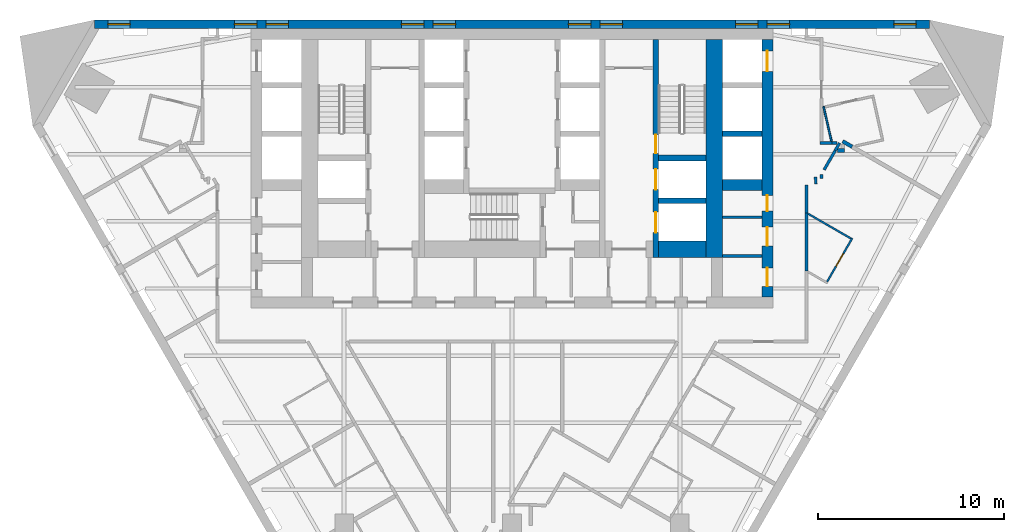
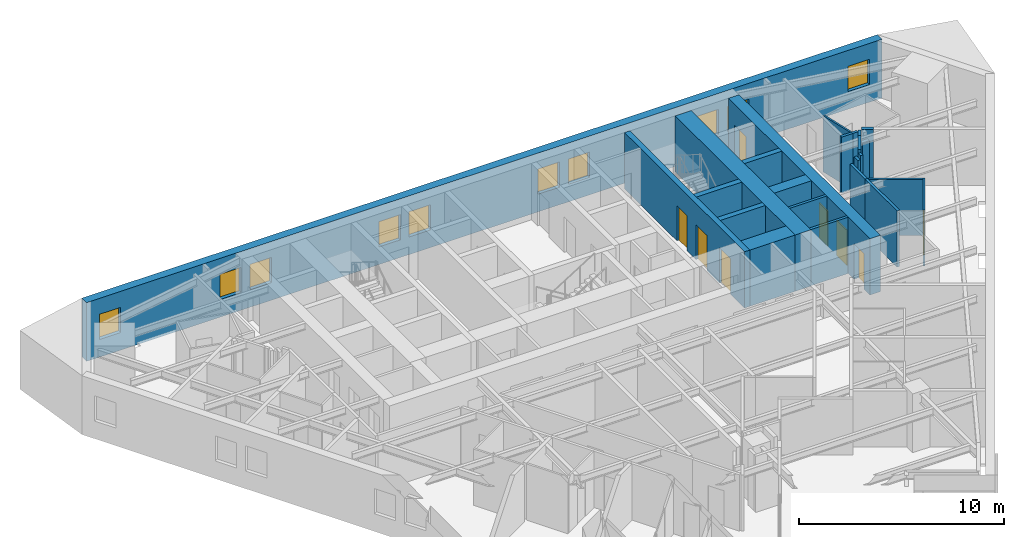
# One storey, part 8 of 11: 24 walls, 10 windows, 8 doors, 18 openings.
"""IFC4 building model written with IfcOpenShell, lengths in metres."""

from ifc_helpers import new_model, si_unit, direction, frame, frame_2d, origin, place, context, subcontext, project, spatial, polyline, rectangle, outline, extrude, material, layer, layer_set, type_object, element, fill, save


model = new_model("IFC4")

# Units and contexts
model_context = context("Model", 3, precision=1e-05, world=origin(), true_north=direction((0.0, 1.0)))
body_context = subcontext(model_context, "Body", "Model", "MODEL_VIEW")
ifc_project = project(units=[si_unit("LENGTHUNIT", "METRE"), si_unit("AREAUNIT", "SQUARE_METRE"), si_unit("VOLUMEUNIT", "CUBIC_METRE"), si_unit("PLANEANGLEUNIT", "RADIAN"), si_unit("MASSUNIT", "GRAM", prefix="KILO")], contexts=[model_context])

# Site, building, storey
site_placement = place(None, origin())
site = spatial("IfcSite", under=ifc_project, at=site_placement, CompositionType="ELEMENT")
building_placement = place(site_placement, origin())
building = spatial("IfcBuilding", under=site, at=building_placement, Name="Aloe Facet Convention Tower", CompositionType="ELEMENT")
storey_placement = place(building_placement, frame((0.0, 0.0, 66.5)))
storey = spatial("IfcBuildingStorey", under=building, at=storey_placement, Name="L15", CompositionType="ELEMENT", Elevation=66.5)

# Walls
ifc_material_1 = material(Name="Concrete blockwork partition", Category="masonry")
ifc_layer_1 = layer(ifc_material_1, 0.14990234375)
ifc_layer_set_1 = layer_set([ifc_layer_1], Name="CR-W-PART150")
wall_type_1 = type_object("IfcWallType", Name="CR-W-PART150", PredefinedType="PARTITIONING", material=ifc_layer_set_1)
for number, where, z_axis, x_axis, name in (
    (1, (91.300048828125, 124.425048828125, 0.0), (0.0, 0.0, 1.0), (1.0, 0.0, 0.0), "Core partition L15-052"),
    (2, (91.300048828125, 122.346435546875, 0.0), (0.0, 0.0, 1.0), (1.0, 0.0, 0.0), "Core partition L15-053"),
):
    element("IfcWall", number, at=place(storey_placement, frame(where, z_axis=z_axis, x_axis=x_axis)), inside=storey, type_object=wall_type_1, Name=name, PredefinedType="PARTITIONING", context=body_context, shape_type="SweptSolid", body=[
        extrude(rectangle(XDim=2.099853515625, YDim=0.14990234375, at=frame_2d((1.0498046875, 0.0))), origin(), (0.0, 0.0, 1.0), 3.35009765625),
    ])

# Wall, openings, doors
ifc_material_2 = material(Name="Concrete C80/95", Category="concrete")
ifc_layer_2 = layer(ifc_material_2, 0.300048828125)
ifc_layer_set_2 = layer_set([ifc_layer_2], Name="CR-W-RC300-C8095")
wall_type_2 = type_object("IfcWallType", Name="CR-W-RC300-C8095", PredefinedType="SOLIDWALL", material=ifc_layer_set_2)
wall_1_placement = place(storey_placement, frame((87.699951171875, 133.949951171875, 0.0), z_axis=(0.0, 0.0, 1.0), x_axis=(0.0, -1.0, 0.0)))
wall_1 = element("IfcWall", 3, at=wall_1_placement, inside=storey, type_object=wall_type_2, Name="Core wall L15-042", PredefinedType="SOLIDWALL", context=body_context, shape_type="SweptSolid", body=[
    extrude(rectangle(XDim=11.699951171875, YDim=0.300048828125, at=frame_2d((5.85009765625, 0.0))), origin(), (0.0, 0.0, 1.0), 3.35009765625),
])
opening_1_placement = place(wall_1_placement, frame((6.949951171875, 0.0, 0.0)))
opening_1 = element("IfcOpeningElement", 4, at=opening_1_placement, cuts=wall_1, Name="Opening LD-FF2-L15", PredefinedType="OPENING", context=body_context, shape_type="SweptSolid", body=[
    extrude(rectangle(XDim=1.10009765625, YDim=2.10009765625, at=frame_2d((0.550048828125, 1.050048828125))), frame((0.0, 0.16015625, 0.0), z_axis=(0.0, -1.0, 0.0), x_axis=(1.0, 0.0, 0.0)), (0.0, 0.0, 1.0), 0.320068359375),
])
opening_2_placement = place(wall_1_placement, frame((5.10009765625, 0.0, 0.0)))
opening_2 = element("IfcOpeningElement", 5, at=opening_2_placement, cuts=wall_1, Name="Opening L15-CD31", PredefinedType="OPENING", context=body_context, shape_type="SweptSolid", body=[
    extrude(rectangle(XDim=1.0, YDim=2.10009765625, at=frame_2d((0.5, 1.050048828125))), frame((0.0, 0.16015625, 0.0), z_axis=(0.0, -1.0, 0.0), x_axis=(1.0, 0.0, 0.0)), (0.0, 0.0, 1.0), 0.320068359375),
])
opening_3_placement = place(wall_1_placement, frame((9.25, 0.0, 0.0)))
opening_3 = element("IfcOpeningElement", 6, at=opening_3_placement, cuts=wall_1, Name="Opening LD-SV1-L15", PredefinedType="OPENING", context=body_context, shape_type="SweptSolid", body=[
    extrude(rectangle(XDim=1.10009765625, YDim=2.10009765625, at=frame_2d((0.550048828125, 1.050048828125))), frame((0.0, 0.16015625, 0.0), z_axis=(0.0, -1.0, 0.0), x_axis=(1.0, 0.0, 0.0)), (0.0, 0.0, 1.0), 0.320068359375),
])
ifc_material_3 = material(Name="Steel fire-resisting door set FD120", Category="steel")
door_type_1 = type_object("IfcDoorType", Name="CR-D-STAIR-1000-FD120-SLEFT", OperationType="SINGLE_SWING_LEFT", PredefinedType="DOOR", material=ifc_material_3)
door_1_placement = place(opening_2_placement, origin())
door_1 = element("IfcDoor", 7, at=door_1_placement, inside=storey, type_object=door_type_1, Name="Core door L15-CD31", OperationType="SINGLE_SWING_LEFT", OverallHeight=2.10009765625, OverallWidth=1.0, PredefinedType="DOOR", context=body_context, shape_type="SweptSolid", body=[
    extrude(rectangle(XDim=1.0, YDim=2.10009765625, at=frame_2d((0.5, 1.050048828125))), frame((0.0, 0.02490234375, 0.0), z_axis=(0.0, -1.0, 0.0), x_axis=(1.0, 0.0, 0.0)), (0.0, 0.0, 1.0), 0.050048828125),
])
fill(opening_2, door_1)
ifc_material_4 = material(Name="Stainless steel sliding landing door", Category="steel")
door_type_2 = type_object("IfcDoorType", Name="CR-LD-1100-FD120-_LEFT", OperationType="SLIDING_TO_LEFT", PredefinedType="DOOR", material=ifc_material_4)
door_2_placement = place(opening_1_placement, origin())
door_2 = element("IfcDoor", 8, at=door_2_placement, inside=storey, type_object=door_type_2, Name="Landing door FF2 L15", OperationType="SLIDING_TO_LEFT", OverallHeight=2.10009765625, OverallWidth=1.10009765625, PredefinedType="DOOR", context=body_context, shape_type="SweptSolid", body=[
    extrude(rectangle(XDim=1.10009765625, YDim=2.10009765625, at=frame_2d((0.550048828125, 1.050048828125))), frame((0.0, 0.02490234375, 0.0), z_axis=(0.0, -1.0, 0.0), x_axis=(1.0, 0.0, 0.0)), (0.0, 0.0, 1.0), 0.050048828125),
])
fill(opening_1, door_2)
door_3_placement = place(opening_3_placement, origin())
door_3 = element("IfcDoor", 9, at=door_3_placement, inside=storey, type_object=door_type_2, Name="Landing door SV1 L15", OperationType="SLIDING_TO_LEFT", OverallHeight=2.10009765625, OverallWidth=1.10009765625, PredefinedType="DOOR", context=body_context, shape_type="SweptSolid", body=[
    extrude(rectangle(XDim=1.10009765625, YDim=2.10009765625, at=frame_2d((0.550048828125, 1.050048828125))), frame((0.0, 0.02490234375, 0.0), z_axis=(0.0, -1.0, 0.0), x_axis=(1.0, 0.0, 0.0)), (0.0, 0.0, 1.0), 0.050048828125),
])
fill(opening_3, door_3)

# Walls
for number, where, z_axis, x_axis, name in (
    (10, (87.85009765625, 127.60009765625, 0.0), (0.0, 0.0, 1.0), (1.0, 0.0, 0.0), "Core wall L15-043"),
    (11, (87.85009765625, 125.300048828125, 0.0), (0.0, 0.0, 1.0), (1.0, 0.0, 0.0), "Core wall L15-044"),
):
    element("IfcWall", number, at=place(storey_placement, frame(where, z_axis=z_axis, x_axis=x_axis)), inside=storey, type_object=wall_type_2, Name=name, PredefinedType="SOLIDWALL", context=body_context, shape_type="SweptSolid", body=[
        extrude(rectangle(XDim=2.5498046875, YDim=0.300048828125, at=frame_2d((1.27490234375, 0.0))), origin(), (0.0, 0.0, 1.0), 3.35009765625),
    ])
wall_2_placement = place(storey_placement, frame((91.300048828125, 128.89990234375, 0.0), z_axis=(0.0, 0.0, 1.0), x_axis=(1.0, 0.0, 0.0)))
element("IfcWall", 12, at=wall_2_placement, inside=storey, type_object=wall_type_2, Name="Core wall L15-050", PredefinedType="SOLIDWALL", context=body_context, shape_type="SweptSolid", body=[
    extrude(rectangle(XDim=2.099853515625, YDim=0.300048828125, at=frame_2d((1.0498046875, 0.0))), origin(), (0.0, 0.0, 1.0), 3.35009765625),
])
ifc_material_5 = material(Name="Concrete C80/95", Category="concrete")
ifc_layer_3 = layer(ifc_material_5, 0.60009765625)
ifc_layer_set_3 = layer_set([ifc_layer_3], Name="CR-W-RC600-C8095")
wall_type_3 = type_object("IfcWallType", Name="CR-W-RC600-C8095", PredefinedType="SOLIDWALL", material=ifc_layer_set_3)
wall_3_placement = place(storey_placement, frame((91.300048828125, 126.14990234375, 0.0), z_axis=(0.0, 0.0, 1.0), x_axis=(1.0, 0.0, 0.0)))
element("IfcWall", 13, at=wall_3_placement, inside=storey, type_object=wall_type_3, Name="Core wall L15-051", PredefinedType="SOLIDWALL", context=body_context, shape_type="SweptSolid", body=[
    extrude(rectangle(XDim=2.099853515625, YDim=0.60009765625, at=frame_2d((1.0498046875, 0.0))), origin(), (0.0, 0.0, 1.0), 3.35009765625),
])

# Wall, openings, doors
wall_4_placement = place(storey_placement, frame((93.699951171875, 133.949951171875, 0.0), z_axis=(0.0, 0.0, 1.0), x_axis=(0.0, -1.0, 0.0)))
wall_4 = element("IfcWall", 14, at=wall_4_placement, inside=storey, type_object=wall_type_3, Name="Core wall L15-054", PredefinedType="SOLIDWALL", context=body_context, shape_type="SweptSolid", body=[
    extrude(rectangle(XDim=13.800048828125, YDim=0.60009765625, at=frame_2d((6.89990234375, 0.0))), origin(), (0.0, 0.0, 1.0), 3.35009765625),
])
opening_4_placement = place(wall_4_placement, frame((0.60009765625, 0.0, 0.0)))
opening_4 = element("IfcOpeningElement", 15, at=opening_4_placement, cuts=wall_4, Name="Opening LD-A8-L15", PredefinedType="OPENING", context=body_context, shape_type="SweptSolid", body=[
    extrude(rectangle(XDim=1.10009765625, YDim=2.10009765625, at=frame_2d((0.550048828125, 1.050048828125))), frame((0.0, 0.31005859375, 0.0), z_axis=(0.0, -1.0, 0.0), x_axis=(1.0, 0.0, 0.0)), (0.0, 0.0, 1.0), 0.6201171875),
])
opening_5_placement = place(wall_4_placement, frame((10.064208984375, 0.0, 0.0)))
opening_5 = element("IfcOpeningElement", 16, at=opening_5_placement, cuts=wall_4, Name="Opening L15-CD09", PredefinedType="OPENING", context=body_context, shape_type="SweptSolid", body=[
    extrude(rectangle(XDim=1.0, YDim=2.10009765625, at=frame_2d((0.5, 1.050048828125))), frame((0.0, 0.31005859375, 0.0), z_axis=(0.0, -1.0, 0.0), x_axis=(1.0, 0.0, 0.0)), (0.0, 0.0, 1.0), 0.6201171875),
])
opening_6_placement = place(wall_4_placement, frame((8.35009765625, 0.0, 0.0)))
opening_6 = element("IfcOpeningElement", 17, at=opening_6_placement, cuts=wall_4, Name="Opening L15-CD10", PredefinedType="OPENING", context=body_context, shape_type="SweptSolid", body=[
    extrude(rectangle(XDim=0.85009765625, YDim=2.10009765625, at=frame_2d((0.425048828125, 1.050048828125))), frame((0.0, 0.31005859375, 0.0), z_axis=(0.0, -1.0, 0.0), x_axis=(1.0, 0.0, 0.0)), (0.0, 0.0, 1.0), 0.6201171875),
])
opening_7_placement = place(wall_4_placement, frame((12.2392578125, 0.0, 0.0)))
opening_7 = element("IfcOpeningElement", 18, at=opening_7_placement, cuts=wall_4, Name="Opening L15-CD11", PredefinedType="OPENING", context=body_context, shape_type="SweptSolid", body=[
    extrude(rectangle(XDim=1.0, YDim=2.10009765625, at=frame_2d((0.5, 1.050048828125))), frame((0.0, 0.31005859375, 0.0), z_axis=(0.0, -1.0, 0.0), x_axis=(1.0, 0.0, 0.0)), (0.0, 0.0, 1.0), 0.6201171875),
])
ifc_material_6 = material(Name="Steel fire-resisting door set FD60", Category="steel")
door_type_3 = type_object("IfcDoorType", Name="CR-D-ROOM-1000-FD60-SLEFT", OperationType="SINGLE_SWING_LEFT", PredefinedType="DOOR", material=ifc_material_6)
door_4_placement = place(opening_5_placement, origin())
door_4 = element("IfcDoor", 19, at=door_4_placement, inside=storey, type_object=door_type_3, Name="Core door L15-CD09", OperationType="SINGLE_SWING_LEFT", OverallHeight=2.10009765625, OverallWidth=1.0, PredefinedType="DOOR", context=body_context, shape_type="SweptSolid", body=[
    extrude(rectangle(XDim=1.0, YDim=2.10009765625, at=frame_2d((0.5, 1.050048828125))), frame((0.0, 0.02490234375, 0.0), z_axis=(0.0, -1.0, 0.0), x_axis=(1.0, 0.0, 0.0)), (0.0, 0.0, 1.0), 0.050048828125),
])
fill(opening_5, door_4)
door_5_placement = place(opening_7_placement, origin())
door_5 = element("IfcDoor", 20, at=door_5_placement, inside=storey, type_object=door_type_3, Name="Core door L15-CD11", OperationType="SINGLE_SWING_LEFT", OverallHeight=2.10009765625, OverallWidth=1.0, PredefinedType="DOOR", context=body_context, shape_type="SweptSolid", body=[
    extrude(rectangle(XDim=1.0, YDim=2.10009765625, at=frame_2d((0.5, 1.050048828125))), frame((0.0, 0.02490234375, 0.0), z_axis=(0.0, -1.0, 0.0), x_axis=(1.0, 0.0, 0.0)), (0.0, 0.0, 1.0), 0.050048828125),
])
fill(opening_7, door_5)
ifc_material_7 = material(Name="Steel fire-resisting door set FD60", Category="steel")
door_type_4 = type_object("IfcDoorType", Name="CR-D-ROOM-850-FD60-SLEFT", OperationType="SINGLE_SWING_LEFT", PredefinedType="DOOR", material=ifc_material_7)
door_6_placement = place(opening_6_placement, origin())
door_6 = element("IfcDoor", 21, at=door_6_placement, inside=storey, type_object=door_type_4, Name="Core door L15-CD10", OperationType="SINGLE_SWING_LEFT", OverallHeight=2.10009765625, OverallWidth=0.85009765625, PredefinedType="DOOR", context=body_context, shape_type="SweptSolid", body=[
    extrude(rectangle(XDim=0.85009765625, YDim=2.10009765625, at=frame_2d((0.425048828125, 1.050048828125))), frame((0.0, 0.02490234375, 0.0), z_axis=(0.0, -1.0, 0.0), x_axis=(1.0, 0.0, 0.0)), (0.0, 0.0, 1.0), 0.050048828125),
])
fill(opening_6, door_6)
ifc_material_8 = material(Name="Stainless steel sliding landing door", Category="steel")
door_type_5 = type_object("IfcDoorType", Name="CR-LD-1100-FD60-_LEFT", OperationType="SLIDING_TO_LEFT", PredefinedType="DOOR", material=ifc_material_8)
door_7_placement = place(opening_4_placement, origin())
door_7 = element("IfcDoor", 22, at=door_7_placement, inside=storey, type_object=door_type_5, Name="Landing door A8 L15", OperationType="SLIDING_TO_LEFT", OverallHeight=2.10009765625, OverallWidth=1.10009765625, PredefinedType="DOOR", context=body_context, shape_type="SweptSolid", body=[
    extrude(rectangle(XDim=1.10009765625, YDim=2.10009765625, at=frame_2d((0.550048828125, 1.050048828125))), frame((0.0, 0.02490234375, 0.0), z_axis=(0.0, -1.0, 0.0), x_axis=(1.0, 0.0, 0.0)), (0.0, 0.0, 1.0), 0.050048828125),
])
fill(opening_4, door_7)

# Walls
ifc_material_9 = material(Name="Concrete C80/95", Category="concrete")
ifc_layer_4 = layer(ifc_material_9, 0.89990234375)
ifc_layer_set_4 = layer_set([ifc_layer_4], Name="CR-W-RC900-C8095")
wall_type_4 = type_object("IfcWallType", Name="CR-W-RC900-C8095", PredefinedType="SOLIDWALL", material=ifc_layer_set_4)
wall_5_placement = place(storey_placement, frame((87.85009765625, 122.699951171875, 0.0), z_axis=(0.0, 0.0, 1.0), x_axis=(1.0, 0.0, 0.0)))
element("IfcWall", 23, at=wall_5_placement, inside=storey, type_object=wall_type_4, Name="Core wall L15-045", PredefinedType="SOLIDWALL", context=body_context, shape_type="SweptSolid", body=[
    extrude(rectangle(XDim=2.5498046875, YDim=0.89990234375, at=frame_2d((1.27490234375, 0.0))), origin(), (0.0, 0.0, 1.0), 3.35009765625),
])
wall_6_placement = place(storey_placement, frame((90.85009765625, 133.949951171875, 0.0), z_axis=(0.0, 0.0, 1.0), x_axis=(0.0, -1.0, 0.0)))
element("IfcWall", 24, at=wall_6_placement, inside=storey, type_object=wall_type_4, Name="Core wall L15-047", PredefinedType="SOLIDWALL", context=body_context, shape_type="SweptSolid", body=[
    extrude(rectangle(XDim=11.699951171875, YDim=0.89990234375, at=frame_2d((5.85009765625, 0.0))), origin(), (0.0, 0.0, 1.0), 3.35009765625),
])

# Wall, openings, windows
ifc_material_10 = material(Name="Precast concrete C40/50", Category="concrete")
ifc_layer_5 = layer(ifc_material_10, 0.449951171875)
ifc_layer_set_5 = layer_set([ifc_layer_5], Name="EV-WALL-STONE")
wall_type_5 = type_object("IfcWallType", Name="EV-WALL-STONE", PredefinedType="SOLIDWALL", material=ifc_layer_set_5)
wall_7_placement = place(storey_placement, frame((102.39990234375, 134.77490234375, -0.14990234375), z_axis=(0.0, 0.0, 1.0), x_axis=(-1.0, 0.0, 0.0)))
wall_7 = element("IfcWall", 25, at=wall_7_placement, inside=storey, type_object=wall_type_5, Name="EW-L15-N01", PredefinedType="SOLIDWALL", context=body_context, shape_type="SweptSolid", body=[
    extrude(outline(polyline([(44.800048828125, 0.0), (44.800048828125, 3.5), (0.0, 3.5), (0.0, 0.0), (44.800048828125, 0.0)])), frame((0.0, 0.22509765625, 0.0), z_axis=(0.0, -1.0, 0.0), x_axis=(1.0, 0.0, 0.0)), (0.0, 0.0, 1.0), 0.449951171875),
])
opening_8_placement = place(wall_7_placement, frame((0.72216796875, 0.0, 1.050048828125)))
opening_8 = element("IfcOpeningElement", 26, at=opening_8_placement, cuts=wall_7, Name="Opening W-L15-N01", PredefinedType="OPENING", context=body_context, shape_type="SweptSolid", body=[
    extrude(rectangle(XDim=1.199951171875, YDim=1.5, at=frame_2d((0.60009765625, 0.75))), frame((0.0, 0.23486328125, 0.0), z_axis=(0.0, -1.0, 0.0), x_axis=(1.0, 0.0, 0.0)), (0.0, 0.0, 1.0), 0.469970703125),
])
opening_9_placement = place(wall_7_placement, frame((7.510009765625, 0.0, 1.050048828125)))
opening_9 = element("IfcOpeningElement", 27, at=opening_9_placement, cuts=wall_7, Name="Opening W-L15-N02", PredefinedType="OPENING", context=body_context, shape_type="SweptSolid", body=[
    extrude(rectangle(XDim=1.199951171875, YDim=1.5, at=frame_2d((0.60009765625, 0.75))), frame((0.0, 0.23486328125, 0.0), z_axis=(0.0, -1.0, 0.0), x_axis=(1.0, 0.0, 0.0)), (0.0, 0.0, 1.0), 0.469970703125),
])
opening_10_placement = place(wall_7_placement, frame((9.2099609375, 0.0, 1.050048828125)))
opening_10 = element("IfcOpeningElement", 28, at=opening_10_placement, cuts=wall_7, Name="Opening W-L15-N03", PredefinedType="OPENING", context=body_context, shape_type="SweptSolid", body=[
    extrude(rectangle(XDim=1.199951171875, YDim=1.5, at=frame_2d((0.60009765625, 0.75))), frame((0.0, 0.23486328125, 0.0), z_axis=(0.0, -1.0, 0.0), x_axis=(1.0, 0.0, 0.0)), (0.0, 0.0, 1.0), 0.469970703125),
])
opening_11_placement = place(wall_7_placement, frame((16.469970703125, 0.0, 1.050048828125)))
opening_11 = element("IfcOpeningElement", 29, at=opening_11_placement, cuts=wall_7, Name="Opening W-L15-N04", PredefinedType="OPENING", context=body_context, shape_type="SweptSolid", body=[
    extrude(rectangle(XDim=1.199951171875, YDim=1.5, at=frame_2d((0.60009765625, 0.75))), frame((0.0, 0.23486328125, 0.0), z_axis=(0.0, -1.0, 0.0), x_axis=(1.0, 0.0, 0.0)), (0.0, 0.0, 1.0), 0.469970703125),
])
opening_12_placement = place(wall_7_placement, frame((18.169921875, 0.0, 1.050048828125)))
opening_12 = element("IfcOpeningElement", 30, at=opening_12_placement, cuts=wall_7, Name="Opening W-L15-N05", PredefinedType="OPENING", context=body_context, shape_type="SweptSolid", body=[
    extrude(rectangle(XDim=1.199951171875, YDim=1.5, at=frame_2d((0.60009765625, 0.75))), frame((0.0, 0.23486328125, 0.0), z_axis=(0.0, -1.0, 0.0), x_axis=(1.0, 0.0, 0.0)), (0.0, 0.0, 1.0), 0.469970703125),
])
opening_13_placement = place(wall_7_placement, frame((25.429931640625, 0.0, 1.050048828125)))
opening_13 = element("IfcOpeningElement", 31, at=opening_13_placement, cuts=wall_7, Name="Opening W-L15-N06", PredefinedType="OPENING", context=body_context, shape_type="SweptSolid", body=[
    extrude(rectangle(XDim=1.199951171875, YDim=1.5, at=frame_2d((0.60009765625, 0.75))), frame((0.0, 0.23486328125, 0.0), z_axis=(0.0, -1.0, 0.0), x_axis=(1.0, 0.0, 0.0)), (0.0, 0.0, 1.0), 0.469970703125),
])
opening_14_placement = place(wall_7_placement, frame((27.1298828125, 0.0, 1.050048828125)))
opening_14 = element("IfcOpeningElement", 32, at=opening_14_placement, cuts=wall_7, Name="Opening W-L15-N07", PredefinedType="OPENING", context=body_context, shape_type="SweptSolid", body=[
    extrude(rectangle(XDim=1.199951171875, YDim=1.5, at=frame_2d((0.60009765625, 0.75))), frame((0.0, 0.23486328125, 0.0), z_axis=(0.0, -1.0, 0.0), x_axis=(1.0, 0.0, 0.0)), (0.0, 0.0, 1.0), 0.469970703125),
])
opening_15_placement = place(wall_7_placement, frame((34.389892578125, 0.0, 1.050048828125)))
opening_15 = element("IfcOpeningElement", 33, at=opening_15_placement, cuts=wall_7, Name="Opening W-L15-N08", PredefinedType="OPENING", context=body_context, shape_type="SweptSolid", body=[
    extrude(rectangle(XDim=1.199951171875, YDim=1.5, at=frame_2d((0.60009765625, 0.75))), frame((0.0, 0.23486328125, 0.0), z_axis=(0.0, -1.0, 0.0), x_axis=(1.0, 0.0, 0.0)), (0.0, 0.0, 1.0), 0.469970703125),
])
opening_16_placement = place(wall_7_placement, frame((36.090087890625, 0.0, 1.050048828125)))
opening_16 = element("IfcOpeningElement", 34, at=opening_16_placement, cuts=wall_7, Name="Opening W-L15-N09", PredefinedType="OPENING", context=body_context, shape_type="SweptSolid", body=[
    extrude(rectangle(XDim=1.199951171875, YDim=1.5, at=frame_2d((0.60009765625, 0.75))), frame((0.0, 0.23486328125, 0.0), z_axis=(0.0, -1.0, 0.0), x_axis=(1.0, 0.0, 0.0)), (0.0, 0.0, 1.0), 0.469970703125),
])
opening_17_placement = place(wall_7_placement, frame((42.8779296875, 0.0, 1.050048828125)))
opening_17 = element("IfcOpeningElement", 35, at=opening_17_placement, cuts=wall_7, Name="Opening W-L15-N10", PredefinedType="OPENING", context=body_context, shape_type="SweptSolid", body=[
    extrude(rectangle(XDim=1.199951171875, YDim=1.5, at=frame_2d((0.60009765625, 0.75))), frame((0.0, 0.23486328125, 0.0), z_axis=(0.0, -1.0, 0.0), x_axis=(1.0, 0.0, 0.0)), (0.0, 0.0, 1.0), 0.469970703125),
])
ifc_material_11 = material(Name="Aluminium frame, clear double glazing", Category="aluminium")
window_type = type_object("IfcWindowType", Name="EV-WIN-H12", PartitioningType="SINGLE_PANEL", PredefinedType="WINDOW", material=ifc_material_11)
window_1_placement = place(opening_8_placement, origin())
window_1 = element("IfcWindow", 36, at=window_1_placement, inside=storey, type_object=window_type, Name="W-L15-N01", OverallHeight=1.5, OverallWidth=1.199951171875, PartitioningType="SINGLE_PANEL", PredefinedType="WINDOW", context=body_context, shape_type="SweptSolid", body=[
    extrude(rectangle(XDim=1.199951171875, YDim=1.5, at=frame_2d((0.60009765625, 0.75))), frame((0.0, 0.030029296875, 0.0), z_axis=(0.0, -1.0, 0.0), x_axis=(1.0, 0.0, 0.0)), (0.0, 0.0, 1.0), 0.06005859375),
])
fill(opening_8, window_1)
window_2_placement = place(opening_9_placement, origin())
window_2 = element("IfcWindow", 37, at=window_2_placement, inside=storey, type_object=window_type, Name="W-L15-N02", OverallHeight=1.5, OverallWidth=1.199951171875, PartitioningType="SINGLE_PANEL", PredefinedType="WINDOW", context=body_context, shape_type="SweptSolid", body=[
    extrude(rectangle(XDim=1.199951171875, YDim=1.5, at=frame_2d((0.60009765625, 0.75))), frame((0.0, 0.030029296875, 0.0), z_axis=(0.0, -1.0, 0.0), x_axis=(1.0, 0.0, 0.0)), (0.0, 0.0, 1.0), 0.06005859375),
])
fill(opening_9, window_2)
window_3_placement = place(opening_10_placement, origin())
window_3 = element("IfcWindow", 38, at=window_3_placement, inside=storey, type_object=window_type, Name="W-L15-N03", OverallHeight=1.5, OverallWidth=1.199951171875, PartitioningType="SINGLE_PANEL", PredefinedType="WINDOW", context=body_context, shape_type="SweptSolid", body=[
    extrude(rectangle(XDim=1.199951171875, YDim=1.5, at=frame_2d((0.60009765625, 0.75))), frame((0.0, 0.030029296875, 0.0), z_axis=(0.0, -1.0, 0.0), x_axis=(1.0, 0.0, 0.0)), (0.0, 0.0, 1.0), 0.06005859375),
])
fill(opening_10, window_3)
window_4_placement = place(opening_11_placement, origin())
window_4 = element("IfcWindow", 39, at=window_4_placement, inside=storey, type_object=window_type, Name="W-L15-N04", OverallHeight=1.5, OverallWidth=1.199951171875, PartitioningType="SINGLE_PANEL", PredefinedType="WINDOW", context=body_context, shape_type="SweptSolid", body=[
    extrude(rectangle(XDim=1.199951171875, YDim=1.5, at=frame_2d((0.60009765625, 0.75))), frame((0.0, 0.030029296875, 0.0), z_axis=(0.0, -1.0, 0.0), x_axis=(1.0, 0.0, 0.0)), (0.0, 0.0, 1.0), 0.06005859375),
])
fill(opening_11, window_4)
window_5_placement = place(opening_12_placement, origin())
window_5 = element("IfcWindow", 40, at=window_5_placement, inside=storey, type_object=window_type, Name="W-L15-N05", OverallHeight=1.5, OverallWidth=1.199951171875, PartitioningType="SINGLE_PANEL", PredefinedType="WINDOW", context=body_context, shape_type="SweptSolid", body=[
    extrude(rectangle(XDim=1.199951171875, YDim=1.5, at=frame_2d((0.60009765625, 0.75))), frame((0.0, 0.030029296875, 0.0), z_axis=(0.0, -1.0, 0.0), x_axis=(1.0, 0.0, 0.0)), (0.0, 0.0, 1.0), 0.06005859375),
])
fill(opening_12, window_5)
window_6_placement = place(opening_13_placement, origin())
window_6 = element("IfcWindow", 41, at=window_6_placement, inside=storey, type_object=window_type, Name="W-L15-N06", OverallHeight=1.5, OverallWidth=1.199951171875, PartitioningType="SINGLE_PANEL", PredefinedType="WINDOW", context=body_context, shape_type="SweptSolid", body=[
    extrude(rectangle(XDim=1.199951171875, YDim=1.5, at=frame_2d((0.60009765625, 0.75))), frame((0.0, 0.030029296875, 0.0), z_axis=(0.0, -1.0, 0.0), x_axis=(1.0, 0.0, 0.0)), (0.0, 0.0, 1.0), 0.06005859375),
])
fill(opening_13, window_6)
window_7_placement = place(opening_14_placement, origin())
window_7 = element("IfcWindow", 42, at=window_7_placement, inside=storey, type_object=window_type, Name="W-L15-N07", OverallHeight=1.5, OverallWidth=1.199951171875, PartitioningType="SINGLE_PANEL", PredefinedType="WINDOW", context=body_context, shape_type="SweptSolid", body=[
    extrude(rectangle(XDim=1.199951171875, YDim=1.5, at=frame_2d((0.60009765625, 0.75))), frame((0.0, 0.030029296875, 0.0), z_axis=(0.0, -1.0, 0.0), x_axis=(1.0, 0.0, 0.0)), (0.0, 0.0, 1.0), 0.06005859375),
])
fill(opening_14, window_7)
window_8_placement = place(opening_15_placement, origin())
window_8 = element("IfcWindow", 43, at=window_8_placement, inside=storey, type_object=window_type, Name="W-L15-N08", OverallHeight=1.5, OverallWidth=1.199951171875, PartitioningType="SINGLE_PANEL", PredefinedType="WINDOW", context=body_context, shape_type="SweptSolid", body=[
    extrude(rectangle(XDim=1.199951171875, YDim=1.5, at=frame_2d((0.60009765625, 0.75))), frame((0.0, 0.030029296875, 0.0), z_axis=(0.0, -1.0, 0.0), x_axis=(1.0, 0.0, 0.0)), (0.0, 0.0, 1.0), 0.06005859375),
])
fill(opening_15, window_8)
window_9_placement = place(opening_16_placement, origin())
window_9 = element("IfcWindow", 44, at=window_9_placement, inside=storey, type_object=window_type, Name="W-L15-N09", OverallHeight=1.5, OverallWidth=1.199951171875, PartitioningType="SINGLE_PANEL", PredefinedType="WINDOW", context=body_context, shape_type="SweptSolid", body=[
    extrude(rectangle(XDim=1.199951171875, YDim=1.5, at=frame_2d((0.60009765625, 0.75))), frame((0.0, 0.030029296875, 0.0), z_axis=(0.0, -1.0, 0.0), x_axis=(1.0, 0.0, 0.0)), (0.0, 0.0, 1.0), 0.06005859375),
])
fill(opening_16, window_9)
window_10_placement = place(opening_17_placement, origin())
window_10 = element("IfcWindow", 45, at=window_10_placement, inside=storey, type_object=window_type, Name="W-L15-N10", OverallHeight=1.5, OverallWidth=1.199951171875, PartitioningType="SINGLE_PANEL", PredefinedType="WINDOW", context=body_context, shape_type="SweptSolid", body=[
    extrude(rectangle(XDim=1.199951171875, YDim=1.5, at=frame_2d((0.60009765625, 0.75))), frame((0.0, 0.030029296875, 0.0), z_axis=(0.0, -1.0, 0.0), x_axis=(1.0, 0.0, 0.0)), (0.0, 0.0, 1.0), 0.06005859375),
])
fill(opening_17, window_10)

# Walls
ifc_material_12 = material(Name="Gypsum board partition on steel studs", Category="steel")
ifc_layer_6 = layer(ifc_material_12, 0.14990234375)
ifc_layer_set_6 = layer_set([ifc_layer_6], Name="IN-W-CORR")
wall_type_6 = type_object("IfcWallType", Name="IN-W-CORR", PredefinedType="PARTITIONING", material=ifc_layer_set_6)
wall_8_placement = place(storey_placement, frame((95.800048828125, 121.5361328125, 0.0), z_axis=(0.0, 0.0, 1.0), x_axis=(0.0, 1.0, 0.0)))
element("IfcWall", 46, at=wall_8_placement, inside=storey, type_object=wall_type_6, Name="Partition L15-W073", PredefinedType="PARTITIONING", context=body_context, shape_type="SweptSolid", body=[
    extrude(rectangle(XDim=3.11767578125, YDim=0.14990234375, at=frame_2d((1.558837890625, 0.0))), origin(), (0.0, 0.0, 1.0), 3.35009765625),
])
wall_9_placement = place(storey_placement, frame((95.800048828125, 124.65380859375, 0.0), z_axis=(0.0, 0.0, 1.0), x_axis=(0.0, 1.0, 0.0)))
element("IfcWall", 47, at=wall_9_placement, inside=storey, type_object=wall_type_6, Name="Partition L15-W085", PredefinedType="PARTITIONING", context=body_context, shape_type="SweptSolid", body=[
    extrude(rectangle(XDim=1.483154296875, YDim=0.14990234375, at=frame_2d((0.74169921875, 0.0))), origin(), (0.0, 0.0, 1.0), 3.35009765625),
])
wall_10_placement = place(storey_placement, frame((96.279541015625, 126.574951171875, 0.0), z_axis=(0.0, 0.0, 1.0), x_axis=(0.049354603538, -0.998781318963, 0.0)))
element("IfcWall", 48, at=wall_10_placement, inside=storey, type_object=wall_type_6, Name="Partition L15-W088", PredefinedType="PARTITIONING", context=body_context, shape_type="SweptSolid", body=[
    extrude(rectangle(XDim=0.3759765625, YDim=0.14990234375, at=frame_2d((0.18798828125, 0.0))), origin(), (0.0, 0.0, 1.0), 3.35009765625),
])
wall_11_placement = place(storey_placement, frame((96.60009765625, 126.5, 0.0), z_axis=(0.0, 0.0, 1.0), x_axis=(0.0, 1.0, 0.0)))
element("IfcWall", 49, at=wall_11_placement, inside=storey, type_object=wall_type_6, Name="Partition L15-W099", PredefinedType="PARTITIONING", context=body_context, shape_type="SweptSolid", body=[
    extrude(rectangle(XDim=0.22265625, YDim=0.14990234375, at=frame_2d((0.111328125, 0.0))), origin(), (0.0, 0.0, 1.0), 3.35009765625),
])
wall_12_placement = place(storey_placement, frame((97.338623046875, 128.0, 0.0), z_axis=(0.0, 0.0, 1.0), x_axis=(0.500391795928, 0.865799082101, 0.0)))
element("IfcWall", 50, at=wall_12_placement, inside=storey, type_object=wall_type_6, Name="Partition L15-W103", PredefinedType="PARTITIONING", context=body_context, shape_type="SweptSolid", body=[
    extrude(rectangle(XDim=0.463134765625, YDim=0.14990234375, at=frame_2d((0.2314453125, 0.0))), origin(), (0.0, 0.0, 1.0), 3.35009765625),
])
wall_13_placement = place(storey_placement, frame((96.739990234375, 126.964599609375, 0.0), z_axis=(0.0, 0.0, 1.0), x_axis=(0.500529245116, 0.865719628277, 0.0)))
element("IfcWall", 51, at=wall_13_placement, inside=storey, type_object=wall_type_6, Name="Partition L15-W105", PredefinedType="PARTITIONING", context=body_context, shape_type="SweptSolid", body=[
    extrude(rectangle(XDim=1.196044921875, YDim=0.14990234375, at=frame_2d((0.59814453125, 0.0))), origin(), (0.0, 0.0, 1.0), 3.35009765625),
])
wall_14_placement = place(storey_placement, frame((96.52490234375, 128.39990234375, 0.0), z_axis=(0.0, 0.0, 1.0), x_axis=(1.0, 0.0, 0.0)))
element("IfcWall", 52, at=wall_14_placement, inside=storey, type_object=wall_type_6, Name="Partition L15-W112", PredefinedType="PARTITIONING", context=body_context, shape_type="SweptSolid", body=[
    extrude(rectangle(XDim=0.632568359375, YDim=0.14990234375, at=frame_2d((0.31640625, 0.0))), origin(), (0.0, 0.0, 1.0), 3.35009765625),
])
wall_15_placement = place(storey_placement, frame((97.157470703125, 128.39990234375, 0.0), z_axis=(0.0, 0.0, 1.0), x_axis=(0.999996638419, 0.002592903989, 0.0)))
element("IfcWall", 53, at=wall_15_placement, inside=storey, type_object=wall_type_6, Name="Partition L15-W116", PredefinedType="PARTITIONING", context=body_context, shape_type="SweptSolid", body=[
    extrude(rectangle(XDim=0.282470703125, YDim=0.14990234375, at=frame_2d((0.14111328125, 0.0))), origin(), (0.0, 0.0, 1.0), 3.35009765625),
])

# Wall, opening, door
ifc_material_13 = material(Name="Gypsum board partition on steel studs", Category="steel")
ifc_layer_7 = layer(ifc_material_13, 0.10009765625)
ifc_layer_set_7 = layer_set([ifc_layer_7], Name="IN-W-PART")
wall_type_7 = type_object("IfcWallType", Name="IN-W-PART", PredefinedType="PARTITIONING", material=ifc_layer_set_7)
wall_16_placement = place(storey_placement, frame((96.89990234375, 120.958984375, 0.0), z_axis=(0.0, 0.0, 1.0), x_axis=(0.499980770555, 0.866036505625, 0.0)))
wall_16 = element("IfcWall", 54, at=wall_16_placement, inside=storey, type_object=wall_type_7, Name="Partition L15-W077", PredefinedType="PARTITIONING", context=body_context, shape_type="SweptSolid", body=[
    extrude(rectangle(XDim=2.69970703125, YDim=0.10009765625, at=frame_2d((1.349853515625, 0.0))), origin(), (0.0, 0.0, 1.0), 3.35009765625),
])
opening_18_placement = place(wall_16_placement, frame((0.949951171875, 0.0, 0.0)))
opening_18 = element("IfcOpeningElement", 55, at=opening_18_placement, cuts=wall_16, Name="Opening L15-025", PredefinedType="OPENING", context=body_context, shape_type="SweptSolid", body=[
    extrude(rectangle(XDim=0.800048828125, YDim=2.10009765625, at=frame_2d((0.39990234375, 1.050048828125))), frame((0.0, 0.06005859375, 0.0), z_axis=(0.0, -1.0, 0.0), x_axis=(1.0, 0.0, 0.0)), (0.0, 0.0, 1.0), 0.1201171875),
])
ifc_material_14 = material(Name="Timber flush door", Category="wood")
door_type_6 = type_object("IfcDoorType", Name="IN-D-BATH", OperationType="SINGLE_SWING_LEFT", PredefinedType="DOOR", material=ifc_material_14)
door_8_placement = place(opening_18_placement, origin())
door_8 = element("IfcDoor", 56, at=door_8_placement, inside=storey, type_object=door_type_6, Name="Door L15-025", OperationType="SINGLE_SWING_LEFT", OverallHeight=2.10009765625, OverallWidth=0.800048828125, PredefinedType="DOOR", context=body_context, shape_type="SweptSolid", body=[
    extrude(rectangle(XDim=0.800048828125, YDim=2.10009765625, at=frame_2d((0.39990234375, 1.050048828125))), frame((0.0, 0.02490234375, 0.0), z_axis=(0.0, -1.0, 0.0), x_axis=(1.0, 0.0, 0.0)), (0.0, 0.0, 1.0), 0.050048828125),
])
fill(opening_18, door_8)

# Walls
wall_17_placement = place(storey_placement, frame((95.88232421875, 124.6064453125, 0.0), z_axis=(0.0, 0.0, 1.0), x_axis=(0.866004891035, -0.500035527442, 0.0)))
element("IfcWall", 57, at=wall_17_placement, inside=storey, type_object=wall_type_7, Name="Partition L15-W082", PredefinedType="PARTITIONING", context=body_context, shape_type="SweptSolid", body=[
    extrude(rectangle(XDim=2.655029296875, YDim=0.10009765625, at=frame_2d((1.32763671875, 0.0))), origin(), (0.0, 0.0, 1.0), 3.35009765625),
])
wall_18_placement = place(storey_placement, frame((96.7080078125, 130.36962890625, 0.0), z_axis=(0.0, 0.0, 1.0), x_axis=(0.222402197424, -0.974955005413, 0.0)))
element("IfcWall", 58, at=wall_18_placement, inside=storey, type_object=wall_type_7, Name="Partition L15-W115", PredefinedType="PARTITIONING", context=body_context, shape_type="SweptSolid", body=[
    extrude(rectangle(XDim=1.9453125, YDim=0.10009765625, at=frame_2d((0.97265625, 0.0))), origin(), (0.0, 0.0, 1.0), 3.35009765625),
])
ifc_material_15 = material(Name="Gypsum board partition on steel studs", Category="steel")
ifc_layer_8 = layer(ifc_material_15, 0.199951171875)
ifc_layer_set_8 = layer_set([ifc_layer_8], Name="IN-W-PARTY")
wall_type_8 = type_object("IfcWallType", Name="IN-W-PARTY", PredefinedType="PARTITIONING", material=ifc_layer_set_8)
wall_19_placement = place(storey_placement, frame((97.463623046875, 128.0, 0.0), z_axis=(0.0, 0.0, 1.0), x_axis=(1.0, 0.0, 0.0)))
element("IfcWall", 59, at=wall_19_placement, inside=storey, type_object=wall_type_8, Name="Partition L15-W104", PredefinedType="PARTITIONING", context=body_context, shape_type="SweptSolid", body=[
    extrude(rectangle(XDim=0.370361328125, YDim=0.199951171875, at=frame_2d((0.18505859375, 0.0))), origin(), (0.0, 0.0, 1.0), 2.9375),
])
wall_20_placement = place(storey_placement, frame((97.73486328125, 128.4951171875, 0.0), z_axis=(0.0, 0.0, 1.0), x_axis=(0.866137124377, -0.499806444312, 0.0)))
element("IfcWall", 60, at=wall_20_placement, inside=storey, type_object=wall_type_8, Name="Partition L15-W108", PredefinedType="PARTITIONING", context=body_context, shape_type="SweptSolid", body=[
    extrude(rectangle(XDim=0.587158203125, YDim=0.199951171875, at=frame_2d((0.29345703125, 0.0))), origin(), (0.0, 0.0, 1.0), 3.35009765625),
])

save(model, "model.ifc")
